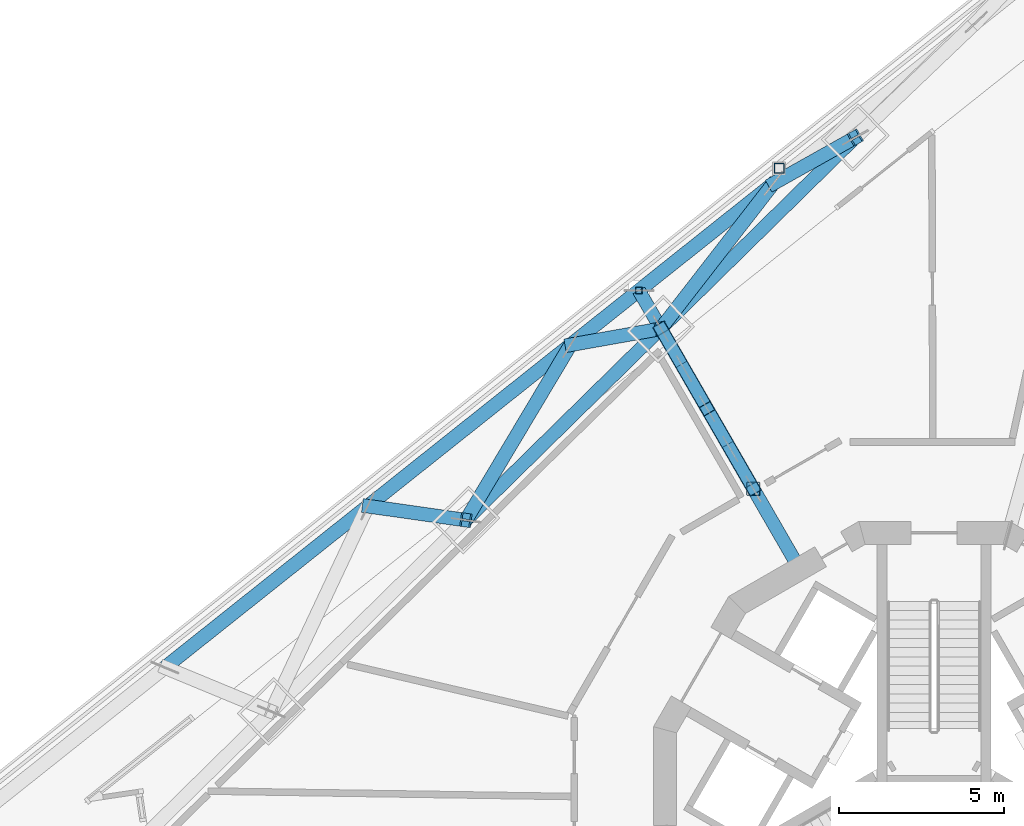
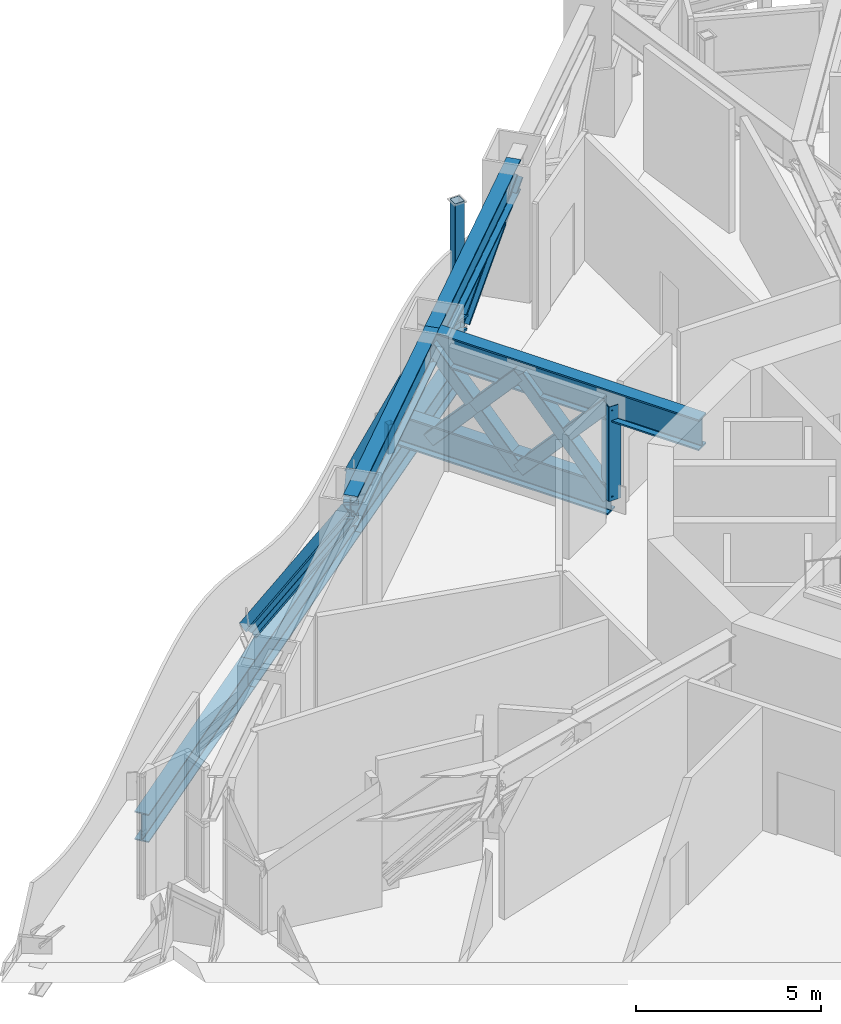
# One storey, part 6 of 27: 21 members.
"""IFC4 building model written with IfcOpenShell, lengths in metres."""

from ifc_helpers import new_model, si_unit, direction, frame, origin, origin_2d, place, context, subcontext, project, spatial, hollow_rectangle, i_section, extrude, material, material_profile, profile_set, type_object, element, save


model = new_model("IFC4")

# Units and contexts
model_context = context("Model", 3, precision=1e-05, world=origin(), true_north=direction((0.0, 1.0)))
body_context = subcontext(model_context, "Body", "Model", "MODEL_VIEW")
ifc_project = project(units=[si_unit("LENGTHUNIT", "METRE"), si_unit("AREAUNIT", "SQUARE_METRE"), si_unit("VOLUMEUNIT", "CUBIC_METRE"), si_unit("PLANEANGLEUNIT", "RADIAN"), si_unit("MASSUNIT", "GRAM", prefix="KILO")], contexts=[model_context])

# Site, building, storey
site_placement = place(None, origin())
site = spatial("IfcSite", under=ifc_project, at=site_placement, CompositionType="ELEMENT")
building_placement = place(site_placement, origin())
building = spatial("IfcBuilding", under=site, at=building_placement, Name="Trine Commons Tower", CompositionType="ELEMENT")
storey_placement = place(building_placement, frame((0.0, 0.0, 230.39990234375)))
storey = spatial("IfcBuildingStorey", under=building, at=storey_placement, Name="L60", CompositionType="ELEMENT", Elevation=230.39990234375)

# Members
ifc_material_1 = material(Name="Structural steel ASTM A500 Gr C", Category="steel")
ifc_material_profile_1 = material_profile(ifc_material_1, hollow_rectangle(XDim=0.406494140625, YDim=0.406494140625, WallThickness=0.017578125, InnerFilletRadius=0.0087890625, OuterFilletRadius=0.026611328125, at=origin_2d()), Name="HSS16X16X3/4")
ifc_profile_set_1 = profile_set([ifc_material_profile_1], Name="Structural steel ASTM A500 Gr C")
member_type_1 = type_object("IfcMemberType", Name="Steel brace HSS16X16X3/4, ASTM A500 Gr C", PredefinedType="BRACE", material=ifc_profile_set_1)
member_1_placement = place(storey_placement, frame((74.52490234375, 71.98291015625, 0.514404296875), z_axis=(-0.334015335039, 0.578575787703, 0.744099330629), x_axis=(-0.866041964813, -0.499971314361, 0.0)))
element("IfcMember", 1, at=member_1_placement, inside=storey, type_object=member_type_1, Name="Outrigger truss brace T6-OB-01", PredefinedType="BRACE", context=body_context, shape_type="SweptSolid", body=[
    extrude(hollow_rectangle(XDim=0.406494140625, YDim=0.406494140625, WallThickness=0.017578125, InnerFilletRadius=0.0087890625, OuterFilletRadius=0.026611328125, at=origin_2d()), origin(), (0.0, 0.0, 1.0), 4.19482421875),
])
for number, where, z_axis, x_axis, name in (
    (2, (74.52490234375, 71.98291015625, 3.6357421875), (-0.333966842152, 0.57865080946, -0.744062758814), (-0.866101455674, -0.499868251122, 0.0), "Outrigger truss brace T6-OB-02a"),
    (3, (73.824462890625, 73.196533203125, 2.0751953125), (-0.334063821995, 0.578500764918, -0.744135893385), (-0.865982457891, -0.500074377092, 0.0), "Outrigger truss brace T6-OB-02b"),
):
    element("IfcMember", number, at=place(storey_placement, frame(where, z_axis=z_axis, x_axis=x_axis)), inside=storey, type_object=member_type_1, Name=name, PredefinedType="BRACE", context=body_context, shape_type="SweptSolid", body=[
        extrude(hollow_rectangle(XDim=0.406494140625, YDim=0.406494140625, WallThickness=0.017578125, InnerFilletRadius=0.0087890625, OuterFilletRadius=0.026611328125, at=origin_2d()), origin(), (0.0, 0.0, 1.0), 2.097412109375),
    ])
member_2_placement = place(storey_placement, frame((73.123779296875, 74.409912109375, 0.514404296875), z_axis=(-0.33405579241, 0.578603255773, 0.744059809401), x_axis=(-0.866026021477, -0.499998930123, 0.0)))
element("IfcMember", 4, at=member_2_placement, inside=storey, type_object=member_type_1, Name="Outrigger truss brace T6-OB-03", PredefinedType="BRACE", context=body_context, shape_type="SweptSolid", body=[
    extrude(hollow_rectangle(XDim=0.406494140625, YDim=0.406494140625, WallThickness=0.017578125, InnerFilletRadius=0.0087890625, OuterFilletRadius=0.026611328125, at=origin_2d()), origin(), (0.0, 0.0, 1.0), 4.195068359375),
])
member_3_placement = place(storey_placement, frame((73.123779296875, 74.409912109375, 3.6357421875), z_axis=(-0.334070258301, 0.578628311503, -0.744033829638), x_axis=(-0.866026021477, -0.499998930123, 0.0)))
element("IfcMember", 5, at=member_3_placement, inside=storey, type_object=member_type_1, Name="Outrigger truss brace T6-OB-04a", PredefinedType="BRACE", context=body_context, shape_type="SweptSolid", body=[
    extrude(hollow_rectangle(XDim=0.406494140625, YDim=0.406494140625, WallThickness=0.017578125, InnerFilletRadius=0.0087890625, OuterFilletRadius=0.026611328125, at=origin_2d()), origin(), (0.0, 0.0, 1.0), 2.097412109375),
])
member_4_placement = place(storey_placement, frame((72.423095703125, 75.62353515625, 2.0751953125), z_axis=(-0.334041327267, 0.578578201339, -0.744085785789), x_axis=(-0.866026021477, -0.499998930123, 0.0)))
element("IfcMember", 6, at=member_4_placement, inside=storey, type_object=member_type_1, Name="Outrigger truss brace T6-OB-04b", PredefinedType="BRACE", context=body_context, shape_type="SweptSolid", body=[
    extrude(hollow_rectangle(XDim=0.406494140625, YDim=0.406494140625, WallThickness=0.017578125, InnerFilletRadius=0.0087890625, OuterFilletRadius=0.026611328125, at=origin_2d()), origin(), (0.0, 0.0, 1.0), 2.09765625),
])
ifc_material_2 = material(Name="Structural steel ASTM A992 Gr50", Category="steel")
ifc_material_profile_2 = material_profile(ifc_material_2, i_section(OverallWidth=0.416015625, OverallDepth=0.444580078125, WebThickness=0.0390625, FlangeThickness=0.062744140625, FilletRadius=0.015380859375, at=origin_2d()), Name="W14X342")
ifc_profile_set_2 = profile_set([ifc_material_profile_2], Name="Structural steel ASTM A992 Gr50")
member_type_2 = type_object("IfcMemberType", Name="Steel brace W14X342, ASTM A992 Gr50", PredefinedType="BRACE", material=ifc_profile_set_2)
member_5_placement = place(storey_placement, frame((62.843505859375, 71.45751953125, 0.468505859375), z_axis=(0.680331576351, -0.096910942937, 0.726469005092), x_axis=(0.141023066391, 0.990006310457, 0.0)))
element("IfcMember", 7, at=member_5_placement, inside=storey, type_object=member_type_2, Name="Belt truss brace T6-DG-17", PredefinedType="BRACE", context=body_context, shape_type="SweptSolid", body=[
    extrude(i_section(OverallWidth=0.416015625, OverallDepth=0.444580078125, WebThickness=0.0390625, FlangeThickness=0.062744140625, FilletRadius=0.015380859375, at=origin_2d()), origin(), (0.0, 0.0, 1.0), 4.370849609375),
])
member_6_placement = place(storey_placement, frame((68.9873046875, 76.3447265625, 0.468505859375), z_axis=(-0.45597647061, -0.763870324619, 0.456713898864), x_axis=(0.858654023473, -0.512555624272, 0.0)))
element("IfcMember", 8, at=member_6_placement, inside=storey, type_object=member_type_2, Name="Belt truss brace T6-DG-18", PredefinedType="BRACE", context=body_context, shape_type="SweptSolid", body=[
    extrude(i_section(OverallWidth=0.416015625, OverallDepth=0.444580078125, WebThickness=0.0390625, FlangeThickness=0.062744140625, FilletRadius=0.015380859375, at=origin_2d()), origin(), (0.0, 0.0, 1.0), 6.952392578125),
])
member_7_placement = place(storey_placement, frame((68.9873046875, 76.3447265625, 0.468505859375), z_axis=(0.647270188121, 0.115062530756, 0.75352632176), x_axis=(-0.175021944316, 0.984564532678, 0.0)))
element("IfcMember", 9, at=member_7_placement, inside=storey, type_object=member_type_2, Name="Belt truss brace T6-DG-19", PredefinedType="BRACE", context=body_context, shape_type="SweptSolid", body=[
    extrude(i_section(OverallWidth=0.416015625, OverallDepth=0.444580078125, WebThickness=0.0390625, FlangeThickness=0.062744140625, FilletRadius=0.015380859375, at=origin_2d()), origin(), (0.0, 0.0, 1.0), 4.2138671875),
])
member_8_placement = place(storey_placement, frame((75.13134765625, 81.231689453125, 0.468505859375), z_axis=(-0.532701932378, -0.686376199993, 0.495092277584), x_axis=(0.789991121281, -0.613118282469, 0.0)))
element("IfcMember", 10, at=member_8_placement, inside=storey, type_object=member_type_2, Name="Belt truss brace T6-DG-20", PredefinedType="BRACE", context=body_context, shape_type="SweptSolid", body=[
    extrude(i_section(OverallWidth=0.416015625, OverallDepth=0.444580078125, WebThickness=0.0390625, FlangeThickness=0.062744140625, FilletRadius=0.015380859375, at=origin_2d()), origin(), (0.0, 0.0, 1.0), 6.41357421875),
])
member_9_placement = place(storey_placement, frame((75.13134765625, 81.231689453125, 0.468505859375), z_axis=(0.581908917799, 0.326826340923, 0.744692254737), x_axis=(-0.48969496658, 0.871893823643, 0.0)))
element("IfcMember", 11, at=member_9_placement, inside=storey, type_object=member_type_2, Name="Belt truss brace T6-DG-21", PredefinedType="BRACE", context=body_context, shape_type="SweptSolid", body=[
    extrude(i_section(OverallWidth=0.416015625, OverallDepth=0.444580078125, WebThickness=0.0390625, FlangeThickness=0.062744140625, FilletRadius=0.015380859375, at=origin_2d()), origin(), (0.0, 0.0, 1.0), 4.263916015625),
])
ifc_material_profile_3 = material_profile(ifc_material_2, i_section(OverallWidth=0.419189453125, OverallDepth=0.9365234375, WebThickness=0.021240234375, FlangeThickness=0.03662109375, FilletRadius=0.024169921875, at=origin_2d()), Name="W36X262")
ifc_profile_set_3 = profile_set([ifc_material_profile_3], Name="Structural steel ASTM A992 Gr50")
member_type_3 = type_object("IfcMemberType", Name="Steel chord W36X262, ASTM A992 Gr50", PredefinedType="CHORD", material=ifc_profile_set_3)
for number, where, z_axis, x_axis, name in (
    (12, (56.699462890625, 66.570556640625, -0.918212890625), (0.782622402508, 0.622496726973, 0.0), (-0.622496726973, 0.782622402508, 0.0), "Belt truss chord T6-LC-08"),
    (13, (62.843505859375, 71.45751953125, -0.918212890625), (0.782595200411, 0.622530924769, 0.0), (-0.622530924769, 0.782595200411, 0.0), "Belt truss chord T6-LC-09"),
    (14, (68.9873046875, 76.3447265625, -0.918212890625), (0.782622402508, 0.622496726973, 0.0), (-0.622496726973, 0.782622402508, 0.0), "Belt truss chord T6-LC-10"),
):
    element("IfcMember", number, at=place(storey_placement, frame(where, z_axis=z_axis, x_axis=x_axis)), inside=storey, type_object=member_type_3, Name=name, PredefinedType="CHORD", context=body_context, shape_type="SweptSolid", body=[
        extrude(i_section(OverallWidth=0.419189453125, OverallDepth=0.9365234375, WebThickness=0.021240234375, FlangeThickness=0.03662109375, FilletRadius=0.024169921875, at=origin_2d()), origin(), (0.0, 0.0, 1.0), 7.8505859375),
    ])
ifc_material_profile_4 = material_profile(ifc_material_2, i_section(OverallWidth=0.4033203125, OverallDepth=1.0126953125, WebThickness=0.023681640625, FlangeThickness=0.0419921875, FilletRadius=0.030029296875, at=origin_2d()), Name="W40X297")
ifc_profile_set_4 = profile_set([ifc_material_profile_4], Name="Structural steel ASTM A992 Gr50")
member_type_4 = type_object("IfcMemberType", Name="Steel chord W40X297, ASTM A992 Gr50", PredefinedType="CHORD", material=ifc_profile_set_4)
for number, where, z_axis, x_axis, name in (
    (15, (65.817138671875, 71.033935546875, 3.643798828125), (0.713250711672, 0.70090899716, 0.0), (-0.70090899716, 0.713250711672, 0.0), "Belt truss chord T6-UC-08"),
    (16, (71.71484375, 76.82958984375, 3.643798828125), (0.713250711672, 0.70090899716, 0.0), (-0.70090899716, 0.713250711672, 0.0), "Belt truss chord T6-UC-09"),
):
    element("IfcMember", number, at=place(storey_placement, frame(where, z_axis=z_axis, x_axis=x_axis)), inside=storey, type_object=member_type_4, Name=name, PredefinedType="CHORD", context=body_context, shape_type="SweptSolid", body=[
        extrude(i_section(OverallWidth=0.4033203125, OverallDepth=1.0126953125, WebThickness=0.023681640625, FlangeThickness=0.0419921875, FilletRadius=0.030029296875, at=origin_2d()), origin(), (0.0, 0.0, 1.0), 8.268798828125),
    ])
ifc_material_profile_5 = material_profile(ifc_material_2, i_section(OverallWidth=0.406494140625, OverallDepth=1.02880859375, WebThickness=0.0283203125, FlangeThickness=0.051025390625, FilletRadius=0.02978515625, at=origin_2d()), Name="W40X362")
ifc_profile_set_5 = profile_set([ifc_material_profile_5], Name="Structural steel ASTM A992 Gr50")
member_type_5 = type_object("IfcMemberType", Name="Steel chord W40X362, ASTM A992 Gr50", PredefinedType="CHORD", material=ifc_profile_set_5)
member_10_placement = place(storey_placement, frame((74.52490234375, 71.98291015625, 0.514404296875), z_axis=(-0.500003746224, 0.86602324089, 0.0), x_axis=(-0.86602324089, -0.500003746224, 0.0)))
element("IfcMember", 17, at=member_10_placement, inside=storey, type_object=member_type_5, Name="Outrigger truss chord T6-OL-01", PredefinedType="CHORD", context=body_context, shape_type="SweptSolid", body=[
    extrude(i_section(OverallWidth=0.406494140625, OverallDepth=1.02880859375, WebThickness=0.0283203125, FlangeThickness=0.051025390625, FilletRadius=0.02978515625, at=origin_2d()), origin(), (0.0, 0.0, 1.0), 6.93701171875),
])
member_11_placement = place(storey_placement, frame((75.949951171875, 69.514892578125, 3.6357421875), z_axis=(-0.500002397932, 0.866024019333, 0.0), x_axis=(-0.866024019333, -0.500002397932, 0.0)))
element("IfcMember", 18, at=member_11_placement, inside=storey, type_object=member_type_5, Name="Outrigger truss chord T6-OU-01", PredefinedType="CHORD", context=body_context, shape_type="SweptSolid", body=[
    extrude(i_section(OverallWidth=0.406494140625, OverallDepth=1.02880859375, WebThickness=0.0283203125, FlangeThickness=0.051025390625, FilletRadius=0.02978515625, at=origin_2d()), origin(), (0.0, 0.0, 1.0), 8.455078125),
])
ifc_material_profile_6 = material_profile(ifc_material_1, hollow_rectangle(XDim=0.3046875, YDim=0.3046875, WallThickness=0.014892578125, InnerFilletRadius=0.00732421875, OuterFilletRadius=0.022216796875, at=origin_2d()), Name="HSS12X12X5/8")
ifc_profile_set_6 = profile_set([ifc_material_profile_6], Name="Structural steel ASTM A500 Gr C")
member_type_6 = type_object("IfcMemberType", Name="Steel post HSS12X12X5/8, ASTM A500 Gr C", PredefinedType="POST", material=ifc_profile_set_6)
member_12_placement = place(storey_placement, frame((75.30419921875, 81.688720703125, 0.0), z_axis=(0.0, 0.0, 1.0), x_axis=(1.0, 0.0, 0.0)))
element("IfcMember", 19, at=member_12_placement, inside=storey, type_object=member_type_6, Name="Roof post SP6-23", PredefinedType="POST", context=body_context, shape_type="SweptSolid", body=[
    extrude(hollow_rectangle(XDim=0.3046875, YDim=0.3046875, WallThickness=0.014892578125, InnerFilletRadius=0.00732421875, OuterFilletRadius=0.022216796875, at=origin_2d()), origin(), (0.0, 0.0, 1.0), 4.150146484375),
])
ifc_material_profile_7 = material_profile(ifc_material_1, hollow_rectangle(XDim=0.406494140625, YDim=0.406494140625, WallThickness=0.017578125, InnerFilletRadius=0.0087890625, OuterFilletRadius=0.026611328125, at=origin_2d()), Name="HSS16X16X3/4")
ifc_profile_set_7 = profile_set([ifc_material_profile_7], Name="Structural steel ASTM A500 Gr C")
member_type_7 = type_object("IfcMemberType", Name="Steel post HSS16X16X3/4, ASTM A500 Gr C", PredefinedType="POST", material=ifc_profile_set_7)
member_13_placement = place(storey_placement, frame((74.52490234375, 71.98291015625, 0.514404296875), z_axis=(0.0, 0.0, 1.0), x_axis=(1.0, 0.0, 0.0)))
element("IfcMember", 20, at=member_13_placement, inside=storey, type_object=member_type_7, Name="Outrigger truss post T6-OP-01", PredefinedType="POST", context=body_context, shape_type="SweptSolid", body=[
    extrude(hollow_rectangle(XDim=0.406494140625, YDim=0.406494140625, WallThickness=0.017578125, InnerFilletRadius=0.0087890625, OuterFilletRadius=0.026611328125, at=origin_2d()), origin(), (0.0, 0.0, 1.0), 3.121337890625),
])
ifc_material_profile_8 = material_profile(ifc_material_1, hollow_rectangle(XDim=0.203125, YDim=0.203125, WallThickness=0.0087890625, InnerFilletRadius=0.00439453125, OuterFilletRadius=0.013427734375, at=origin_2d()), Name="HSS8X8X3/8")
ifc_profile_set_8 = profile_set([ifc_material_profile_8], Name="Structural steel ASTM A500 Gr C")
member_type_8 = type_object("IfcMemberType", Name="Steel post HSS8X8X3/8, ASTM A500 Gr C", PredefinedType="POST", material=ifc_profile_set_8)
member_14_placement = place(storey_placement, frame((71.056396484375, 77.990478515625, -0.449951171875), z_axis=(0.0, 0.0, 1.0), x_axis=(1.0, 0.0, 0.0)))
element("IfcMember", 21, at=member_14_placement, inside=storey, type_object=member_type_8, Name="Outrigger truss post T6-OS-01", PredefinedType="POST", context=body_context, shape_type="SweptSolid", body=[
    extrude(hollow_rectangle(XDim=0.203125, YDim=0.203125, WallThickness=0.0087890625, InnerFilletRadius=0.00439453125, OuterFilletRadius=0.013427734375, at=origin_2d()), origin(), (0.0, 0.0, 1.0), 0.96435546875),
])

save(model, "model.ifc")
